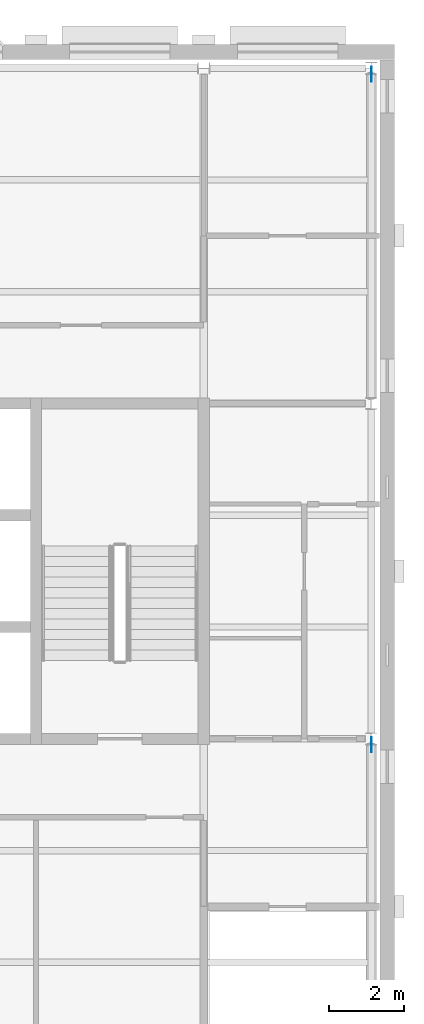
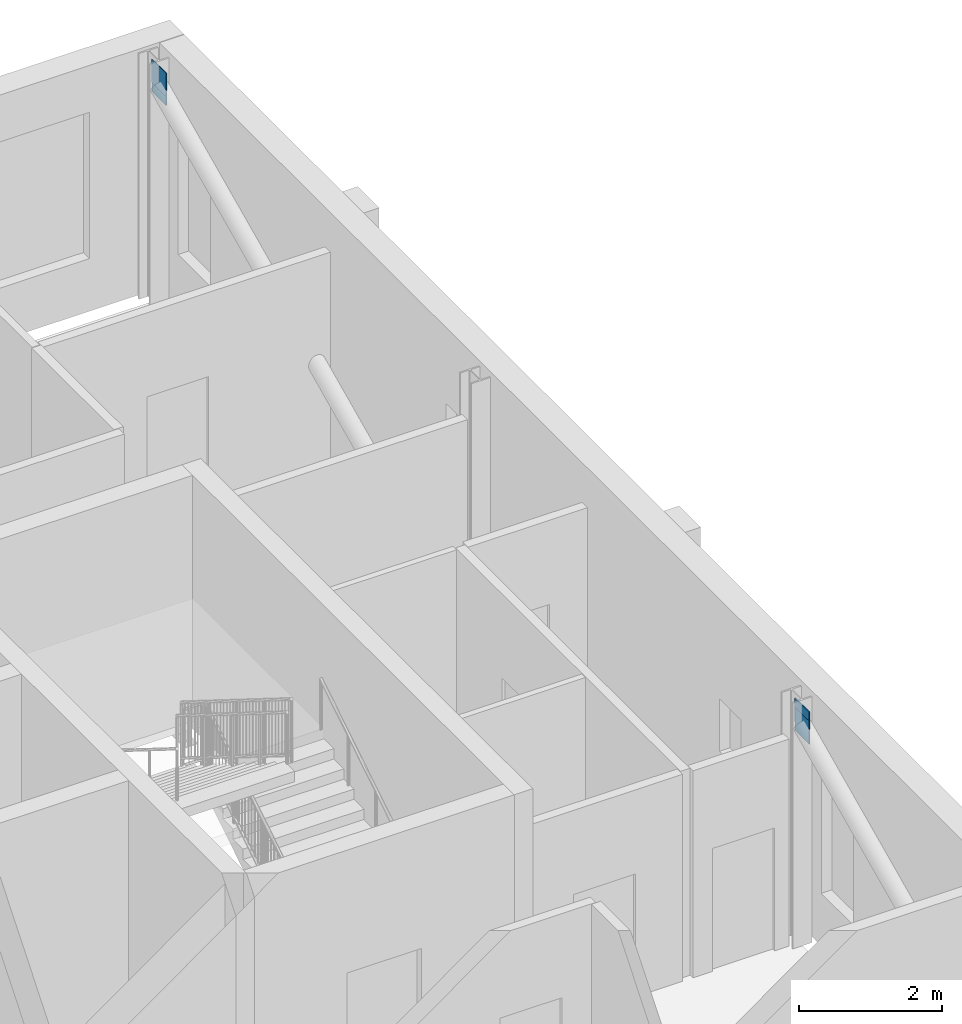
# One storey, part 7 of 9: 4 discrete accessories.
"""IFC4 building model written with IfcOpenShell, lengths in metres."""

from ifc_helpers import new_model, si_unit, direction, frame, origin, origin_2d, place, context, subcontext, project, spatial, rectangle, extrude, material, type_object, element, save


model = new_model("IFC4")

# Units and contexts
model_context = context("Model", 3, precision=1e-05, world=origin(), true_north=direction((0.0, 1.0)))
body_context = subcontext(model_context, "Body", "Model", "MODEL_VIEW")
ifc_project = project(units=[si_unit("LENGTHUNIT", "METRE"), si_unit("AREAUNIT", "SQUARE_METRE"), si_unit("VOLUMEUNIT", "CUBIC_METRE"), si_unit("PLANEANGLEUNIT", "RADIAN"), si_unit("MASSUNIT", "GRAM", prefix="KILO")], contexts=[model_context])

# Site, building, storey
site_placement = place(None, origin())
site = spatial("IfcSite", under=ifc_project, at=site_placement, CompositionType="ELEMENT")
building_placement = place(site_placement, origin())
building = spatial("IfcBuilding", under=site, at=building_placement, Name="Hortulan Conservatory and Botanical Research Centre", CompositionType="ELEMENT")
storey_placement = place(building_placement, frame((0.0, 0.0, 40.199951171875)))
storey = spatial("IfcBuildingStorey", under=building, at=storey_placement, Name="L09", CompositionType="ELEMENT", Elevation=40.199951171875)

# Discrete accessories
ifc_material = material(Name="Steel Grade 300 plate (AS/NZS 3678, 280 MPa minimum yield)", Category="steel")
discrete_accessory_type = type_object("IfcDiscreteAccessoryType", Name="End Plate 400x16", PredefinedType="BRACKET", material=ifc_material)
for number, where, z_axis, x_axis, name in (
    (1, (31.5, 8.83642578125, 3.563720703125), (0.0, 0.0, 1.0), (0.0, -1.0, 0.0), "Brace end plate"),
    (2, (31.5, 8.839599609375, 3.715087890625), (0.0, 0.0, 1.0), (0.0, -1.0, 0.0), "Brace end plate"),
    (3, (31.5, 26.83642578125, 3.563720703125), (0.0, 0.0, 1.0), (0.0, -1.0, 0.0), "Brace end plate"),
    (4, (31.5, 26.839599609375, 3.715087890625), (0.0, 0.0, 1.0), (0.0, -1.0, 0.0), "Brace end plate"),
):
    element("IfcDiscreteAccessory", number, at=place(storey_placement, frame(where, z_axis=z_axis, x_axis=x_axis)), inside=storey, type_object=discrete_accessory_type, Name=name, PredefinedType="BRACKET", context=body_context, shape_type="SweptSolid", body=[
        extrude(rectangle(XDim=0.39990234375, YDim=0.01611328125, at=origin_2d()), origin(), (0.0, 0.0, 1.0), 0.39990234375),
    ])

save(model, "model.ifc")
